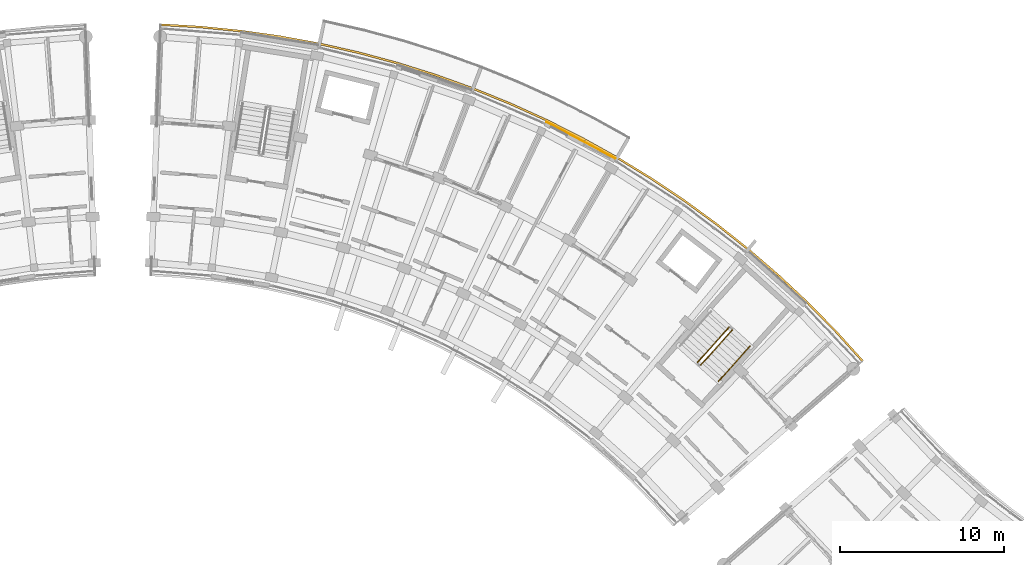
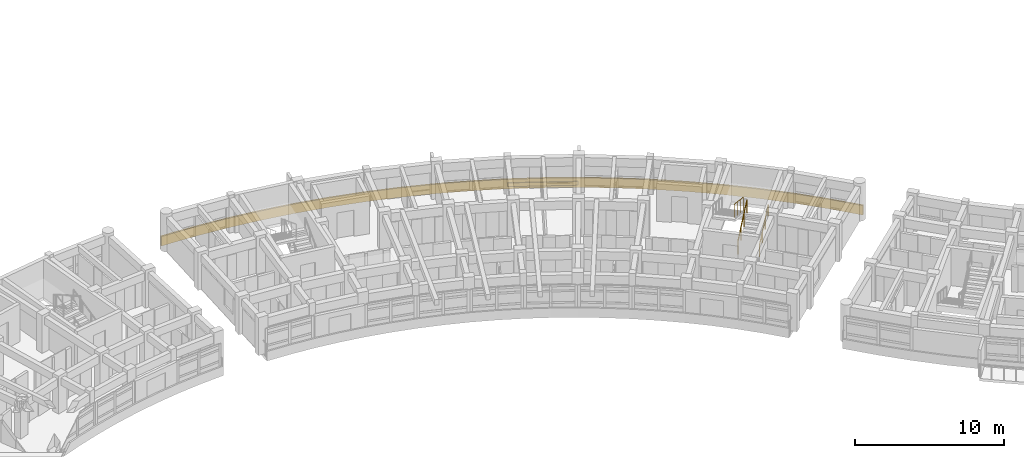
# One storey, part 51 of 55: 4 railings, 1 covering.
"""IFC4 building model written with IfcOpenShell, lengths in metres."""

from ifc_helpers import new_model, si_unit, direction, frame, origin, origin_2d, place, context, subcontext, project, spatial, polyline, rectangle, circle, outline, extrude, material, layer, layer_set, type_object, element, save


model = new_model("IFC4")

# Units and contexts
model_context = context("Model", 3, precision=1e-05, world=origin(), true_north=direction((0.0, 1.0)))
body_context = subcontext(model_context, "Body", "Model", "MODEL_VIEW")
ifc_project = project(units=[si_unit("LENGTHUNIT", "METRE"), si_unit("AREAUNIT", "SQUARE_METRE"), si_unit("VOLUMEUNIT", "CUBIC_METRE"), si_unit("PLANEANGLEUNIT", "RADIAN"), si_unit("MASSUNIT", "GRAM", prefix="KILO")], contexts=[model_context])

# Site, building, storey
site_placement = place(None, origin())
site = spatial("IfcSite", under=ifc_project, at=site_placement, CompositionType="ELEMENT")
building_placement = place(site_placement, origin())
building = spatial("IfcBuilding", under=site, at=building_placement, Name="Zimvara Arc Housing Community", CompositionType="ELEMENT")
storey_placement = place(building_placement, frame((0.0, 0.0, 14.300048828125)))
storey = spatial("IfcBuildingStorey", under=building, at=storey_placement, Name="L04", CompositionType="ELEMENT", Elevation=14.300048828125)

# Covering
ifc_material_1 = material(Name="Pale-Gold Anodised Aluminium Cladding", Category="aluminium")
ifc_layer = layer(ifc_material_1, 0.044921875)
ifc_layer_set = layer_set([ifc_layer], Name="Pale-Gold Anodised Aluminium Cladding")
covering_type = type_object("IfcCoveringType", Name="CLD-GOLD-02", PredefinedType="CLADDING", material=ifc_layer_set)
covering_placement = place(storey_placement, frame((72.864990234375, 97.0390625, 0.009765625), z_axis=(0.0, 0.0, 1.0), x_axis=(0.88343873811, -0.468546684981, 0.0)))
element("IfcCovering", 1, at=covering_placement, inside=storey, type_object=covering_type, Name="cld:blkB:L04:out:b5", PredefinedType="CLADDING", context=body_context, shape_type="SweptSolid", body=[
    extrude(rectangle(XDim=4.748779296875, YDim=0.044921875, at=origin_2d()), origin(), (0.0, 0.0, 1.0), 0.300048828125),
])

# Railings
ifc_material_2 = material(Name="Anodised Aluminium AW-6063", Category="aluminium")
railing_type_1 = type_object("IfcRailingType", Name="RLG-BAL-1120", PredefinedType="BALUSTRADE", material=ifc_material_2)
railing_1_placement = place(storey_placement, frame((80.1455078125, 83.365966796875, 0.155029296875)))
element("IfcRailing", 2, at=railing_1_placement, inside=storey, type_object=railing_type_1, Name="L04 ST-B2 stair guard 1", PredefinedType="BALUSTRADE", context=body_context, shape_type="SweptSolid", body=[
    extrude(circle(Radius=0.02392578125, at=origin_2d()), frame((0.0, 0.0, 1.09619140625), z_axis=(0.601231728384, 0.668248248038, 0.438137749775), x_axis=(-0.743400174344, 0.668846903847, 0.0)), (0.0, 0.0, 1.0), 3.18408203125),
    extrude(circle(Radius=0.02099609375, at=origin_2d()), origin(), (0.0, 0.0, 1.0), 1.072021484375),
    extrude(circle(Radius=0.02099609375, at=origin_2d()), frame((0.63818359375, 0.709228515625, 0.465087890625)), (0.0, 0.0, 1.0), 1.072021484375),
    extrude(circle(Radius=0.02099609375, at=origin_2d()), frame((1.276123046875, 1.41845703125, 0.929931640625)), (0.0, 0.0, 1.0), 1.072021484375),
    extrude(circle(Radius=0.02099609375, at=origin_2d()), frame((1.914306640625, 2.127685546875, 1.39501953125)), (0.0, 0.0, 1.0), 1.072021484375),
])
railing_2_placement = place(storey_placement, frame((81.866455078125, 85.66748046875, 1.704833984375)))
element("IfcRailing", 3, at=railing_2_placement, inside=storey, type_object=railing_type_1, Name="L04 ST-B2 stair guard 3", PredefinedType="BALUSTRADE", context=body_context, shape_type="SweptSolid", body=[
    extrude(circle(Radius=0.02392578125, at=origin_2d()), frame((0.0, 0.0, 1.09619140625), z_axis=(-0.601262536038, -0.668205807809, 0.438160200347), x_axis=(0.743362010683, -0.668889319, 0.0)), (0.0, 0.0, 1.0), 3.183837890625),
    extrude(circle(Radius=0.02099609375, at=origin_2d()), origin(), (0.0, 0.0, 1.0), 1.072021484375),
    extrude(circle(Radius=0.02099609375, at=origin_2d()), frame((-0.63818359375, -0.709228515625, 0.465087890625)), (0.0, 0.0, 1.0), 1.072021484375),
    extrude(circle(Radius=0.02099609375, at=origin_2d()), frame((-1.276123046875, -1.418212890625, 0.929931640625)), (0.0, 0.0, 1.0), 1.072021484375),
    extrude(circle(Radius=0.02099609375, at=origin_2d()), frame((-1.914306640625, -2.12744140625, 1.39501953125)), (0.0, 0.0, 1.0), 1.072021484375),
])
ifc_material_3 = material(Name="Pale-Gold Anodised Aluminium AW-6063", Category="aluminium")
railing_type_2 = type_object("IfcRailingType", Name="RLG-FAS-780", PredefinedType="BALUSTRADE", material=ifc_material_3)
railing_3_placement = place(storey_placement, frame((0.0, 0.0, -0.219970703125)))
element("IfcRailing", 4, at=railing_3_placement, inside=storey, type_object=railing_type_2, Name="rlg:blkB:L04:gold_out", PredefinedType="BALUSTRADE", context=body_context, shape_type="SweptSolid", body=[
    extrude(outline(polyline([(47.286376953125, 104.01611328125), (49.71435546875, 103.873046875), (52.134765625, 103.631103515625), (54.54296875, 103.29052734375), (56.935546875, 102.851806640625), (59.307861328125, 102.31591796875), (61.65673828125, 101.68359375), (63.9775390625, 100.955810546875), (66.266845703125, 100.1337890625), (68.5205078125, 99.218994140625), (70.735107421875, 98.213134765625), (72.90673828125, 97.11767578125), (75.03173828125, 95.934326171875), (77.106689453125, 94.665283203125), (79.128173828125, 93.3125), (81.0927734375, 91.87841796875), (82.9970703125, 90.365234375), (84.837890625, 88.775634765625), (86.612548828125, 87.112060546875), (88.317626953125, 85.377685546875), (89.950439453125, 83.574951171875), (90.041015625, 83.653564453125), (88.40478515625, 85.4599609375), (86.6962890625, 87.197998046875), (84.918212890625, 88.86474609375), (83.073486328125, 90.457763671875), (81.165283203125, 91.973876953125), (79.197021484375, 93.410888671875), (77.17138671875, 94.766357421875), (75.09228515625, 96.037841796875), (72.962890625, 97.2236328125), (70.786865234375, 98.3212890625), (68.56787109375, 99.329345703125), (66.3095703125, 100.245849609375), (64.015625, 101.069580078125), (61.690185546875, 101.798583984375), (59.3369140625, 102.432373046875), (56.95947265625, 102.969482421875), (54.562255859375, 103.408935546875), (52.149169921875, 103.750244140625), (49.723876953125, 103.99267578125), (47.291015625, 104.135986328125), (47.286376953125, 104.01611328125)])), origin(), (0.0, 0.0, 1.0), 0.780029296875),
])
ifc_material_4 = material(Name="Anodised Aluminium AW-6063", Category="aluminium")
railing_type_3 = type_object("IfcRailingType", Name="RLG-HND-900", PredefinedType="HANDRAIL", material=ifc_material_4)
railing_4_placement = place(storey_placement, frame((81.230712890625, 82.389404296875, 0.155029296875)))
element("IfcRailing", 5, at=railing_4_placement, inside=storey, type_object=railing_type_3, Name="L04 ST-B2 stair handrail 1", PredefinedType="HANDRAIL", context=body_context, shape_type="SweptSolid", body=[
    extrude(circle(Radius=0.02392578125, at=origin_2d()), frame((0.0, 0.0, 0.8759765625), z_axis=(0.601231728384, 0.668248248038, 0.438137749775), x_axis=(-0.743400174344, 0.668846903847, 0.0)), (0.0, 0.0, 1.0), 3.18408203125),
    extrude(circle(Radius=0.02099609375, at=origin_2d()), origin(), (0.0, 0.0, 1.0), 0.851806640625),
    extrude(circle(Radius=0.02099609375, at=origin_2d()), frame((0.63818359375, 0.709228515625, 0.465087890625)), (0.0, 0.0, 1.0), 0.851806640625),
    extrude(circle(Radius=0.02099609375, at=origin_2d()), frame((1.276123046875, 1.41845703125, 0.929931640625)), (0.0, 0.0, 1.0), 0.851806640625),
    extrude(circle(Radius=0.02099609375, at=origin_2d()), frame((1.914306640625, 2.127685546875, 1.39501953125)), (0.0, 0.0, 1.0), 0.851806640625),
])

save(model, "model.ifc")
